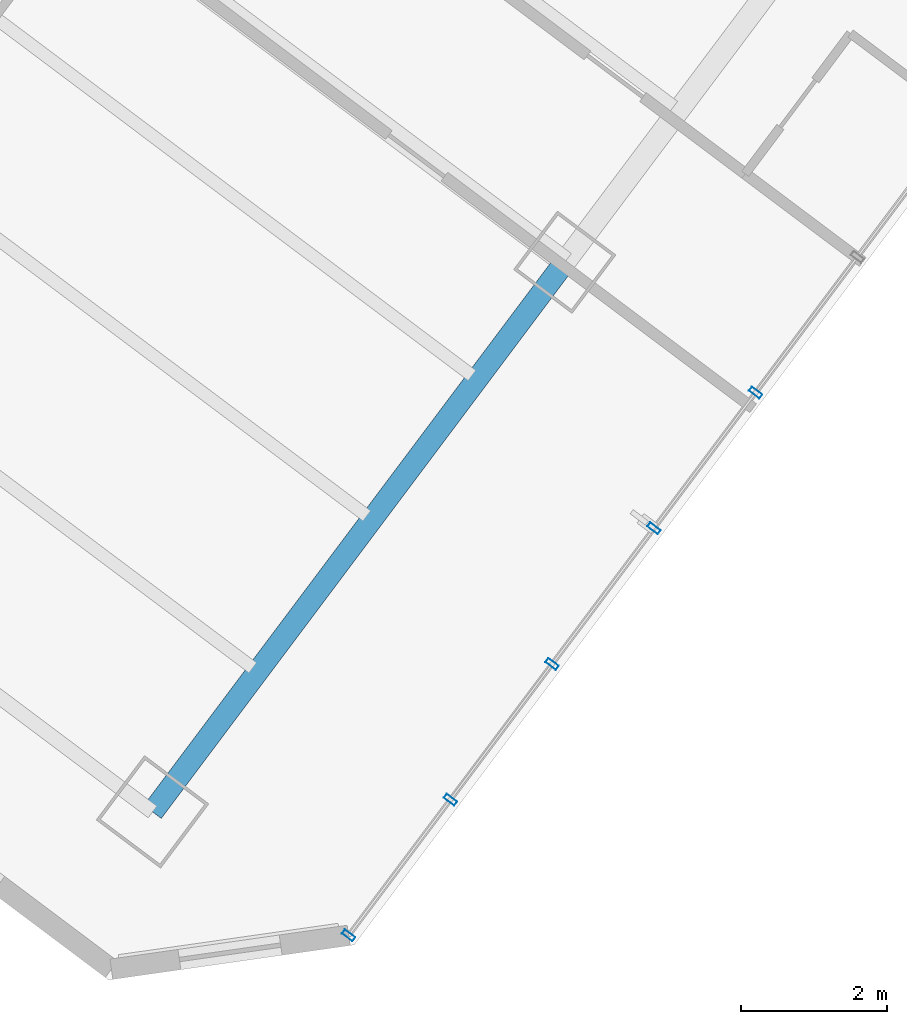
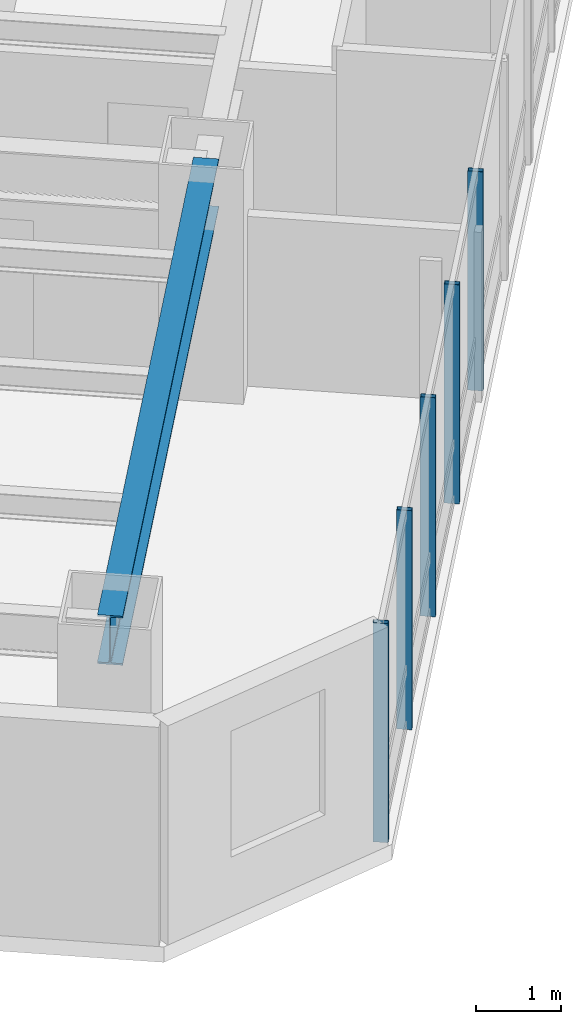
# One storey, part 8 of 37: 5 members, 1 beam, 1 element without a shape of its own.
"""IFC4 building model written with IfcOpenShell, lengths in metres."""

from ifc_helpers import new_model, si_unit, direction, frame, origin, origin_2d, place, context, subcontext, project, spatial, hollow_rectangle, i_section, extrude, material, layer, layer_set, material_profile, profile_set, type_object, element, aggregate, save


model = new_model("IFC4")

# Units and contexts
model_context = context("Model", 3, precision=1e-05, world=origin(), true_north=direction((0.0, 1.0)))
body_context = subcontext(model_context, "Body", "Model", "MODEL_VIEW")
ifc_project = project(units=[si_unit("LENGTHUNIT", "METRE"), si_unit("AREAUNIT", "SQUARE_METRE"), si_unit("VOLUMEUNIT", "CUBIC_METRE"), si_unit("PLANEANGLEUNIT", "RADIAN"), si_unit("MASSUNIT", "GRAM", prefix="KILO")], contexts=[model_context])

# Site, building, storey
site_placement = place(None, origin())
site = spatial("IfcSite", under=ifc_project, at=site_placement, CompositionType="ELEMENT")
building_placement = place(site_placement, origin())
building = spatial("IfcBuilding", under=site, at=building_placement, Name="Hatsunagi Terrace Concourse", CompositionType="ELEMENT")
storey_placement = place(building_placement, frame((0.0, 0.0, 39.949951171875)))
storey = spatial("IfcBuildingStorey", under=building, at=storey_placement, Name="L09", CompositionType="ELEMENT", Elevation=39.949951171875)

# Curtain wall, members
ifc_material_1 = material(Name="Anodised Aluminium Alloy 6063-T5", Category="aluminium")
ifc_layer = layer(ifc_material_1, 0.199951171875)
ifc_layer_set = layer_set([ifc_layer], Name="HotelFacade_CW02")
curtain_wall_type = type_object("IfcCurtainWallType", Name="HotelFacade_CW02", PredefinedType="NOTDEFINED", material=ifc_layer_set)
curtain_wall_placement = place(storey_placement, origin())
curtain_wall = element("IfcCurtainWall", 1, at=curtain_wall_placement, inside=storey, type_object=curtain_wall_type, Name="Unitised Curtain Wall CW-02 CW-L09-03", PredefinedType="NOTDEFINED")
ifc_material_2 = material(Name="Anodised Aluminium Alloy 6063-T5", Category="aluminium")
ifc_material_profile_1 = material_profile(ifc_material_2, hollow_rectangle(XDim=0.070068359375, YDim=0.179931640625, WallThickness=0.00390625, at=origin_2d()), Name="ALU-MUL-180x70x4")
ifc_profile_set_1 = profile_set([ifc_material_profile_1], Name="Anodised Aluminium Alloy 6063-T5")
member_type = type_object("IfcMemberType", Name="CurtainWallMullion_180x70", PredefinedType="MULLION", material=ifc_profile_set_1)
member_1_placement = place(storey_placement, frame((62.132080078125, 10.3759765625, 0.0), z_axis=(0.0, 0.0, 1.0), x_axis=(-0.599969314634, -0.800023013105, 0.0)))
member_1 = element("IfcMember", 2, at=member_1_placement, type_object=member_type, Name="Curtain Wall Mullion MUL-02", PredefinedType="MULLION", context=body_context, shape_type="SweptSolid", body=[
    extrude(hollow_rectangle(XDim=0.070068359375, YDim=0.179931640625, WallThickness=0.00390625, at=origin_2d()), origin(), (0.0, 0.0, 1.0), 3.130126953125),
])
member_2_placement = place(storey_placement, frame((60.739990234375, 8.51904296875, 0.0), z_axis=(0.0, 0.0, 1.0), x_axis=(-0.599969314634, -0.800023013105, 0.0)))
member_2 = element("IfcMember", 3, at=member_2_placement, type_object=member_type, Name="Curtain Wall Mullion MUL-02", PredefinedType="MULLION", context=body_context, shape_type="SweptSolid", body=[
    extrude(hollow_rectangle(XDim=0.070068359375, YDim=0.179931640625, WallThickness=0.00390625, at=origin_2d()), origin(), (0.0, 0.0, 1.0), 3.130126953125),
])
member_3_placement = place(storey_placement, frame((59.346923828125, 6.6630859375, 0.0), z_axis=(0.0, 0.0, 1.0), x_axis=(-0.599969314634, -0.800023013105, 0.0)))
member_3 = element("IfcMember", 4, at=member_3_placement, type_object=member_type, Name="Curtain Wall Mullion MUL-02", PredefinedType="MULLION", context=body_context, shape_type="SweptSolid", body=[
    extrude(hollow_rectangle(XDim=0.070068359375, YDim=0.179931640625, WallThickness=0.00390625, at=origin_2d()), origin(), (0.0, 0.0, 1.0), 3.130126953125),
])
member_4_placement = place(storey_placement, frame((57.955078125, 4.805908203125, 0.0), z_axis=(0.0, 0.0, 1.0), x_axis=(-0.599969314634, -0.800023013105, 0.0)))
member_4 = element("IfcMember", 5, at=member_4_placement, type_object=member_type, Name="Curtain Wall Mullion MUL-02", PredefinedType="MULLION", context=body_context, shape_type="SweptSolid", body=[
    extrude(hollow_rectangle(XDim=0.070068359375, YDim=0.179931640625, WallThickness=0.00390625, at=origin_2d()), origin(), (0.0, 0.0, 1.0), 3.130126953125),
])
member_5_placement = place(storey_placement, frame((56.56298828125, 2.949951171875, 0.0), z_axis=(0.0, 0.0, 1.0), x_axis=(-0.599969314634, -0.800023013105, 0.0)))
member_5 = element("IfcMember", 6, at=member_5_placement, type_object=member_type, Name="Curtain Wall Mullion MUL-02", PredefinedType="MULLION", context=body_context, shape_type="SweptSolid", body=[
    extrude(hollow_rectangle(XDim=0.070068359375, YDim=0.179931640625, WallThickness=0.00390625, at=origin_2d()), origin(), (0.0, 0.0, 1.0), 3.130126953125),
])
aggregate(curtain_wall, [member_1, member_2, member_3, member_4, member_5])

# Beam
ifc_material_3 = material(Name="Steel SN490B", Category="steel")
ifc_material_profile_2 = material_profile(ifc_material_3, i_section(OverallWidth=0.300048828125, OverallDepth=0.699951171875, WebThickness=0.012939453125, FlangeThickness=0.02392578125, FilletRadius=0.02197265625, at=origin_2d()), Name="H-700x300x13x24")
ifc_profile_set_2 = profile_set([ifc_material_profile_2], Name="Steel SN490B")
beam_type = type_object("IfcBeamType", Name="HotelFloorGirder_H_700x300", PredefinedType="BEAM", material=ifc_profile_set_2)
beam_placement = place(storey_placement, frame((53.8798828125, 4.639892578125, 2.780029296875), z_axis=(0.600008311051, 0.799993766644, 0.0), x_axis=(-0.799993766644, 0.600008311051, 0.0)))
element("IfcBeam", 7, at=beam_placement, inside=storey, type_object=beam_type, Name="Beam G-04 BM-L09-SET-3A", PredefinedType="BEAM", context=body_context, shape_type="SweptSolid", body=[
    extrude(i_section(OverallWidth=0.300048828125, OverallDepth=0.699951171875, WebThickness=0.012939453125, FlangeThickness=0.02392578125, FilletRadius=0.02197265625, at=origin_2d()), origin(), (0.0, 0.0, 1.0), 9.400146484375),
])

save(model, "model.ifc")
